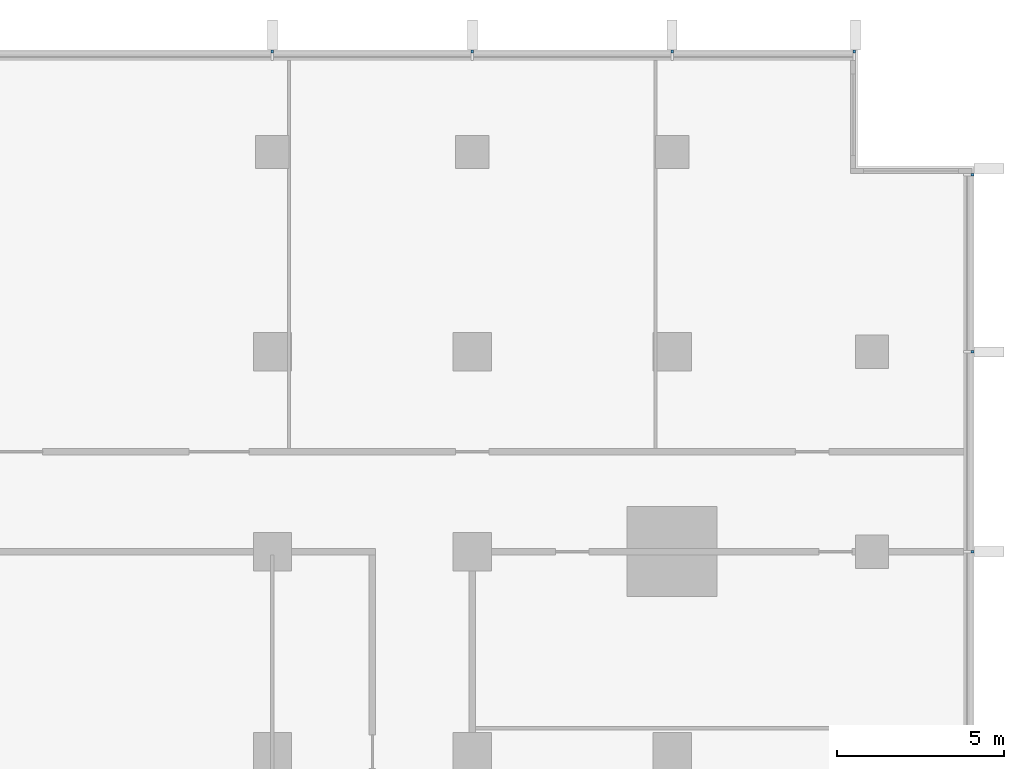
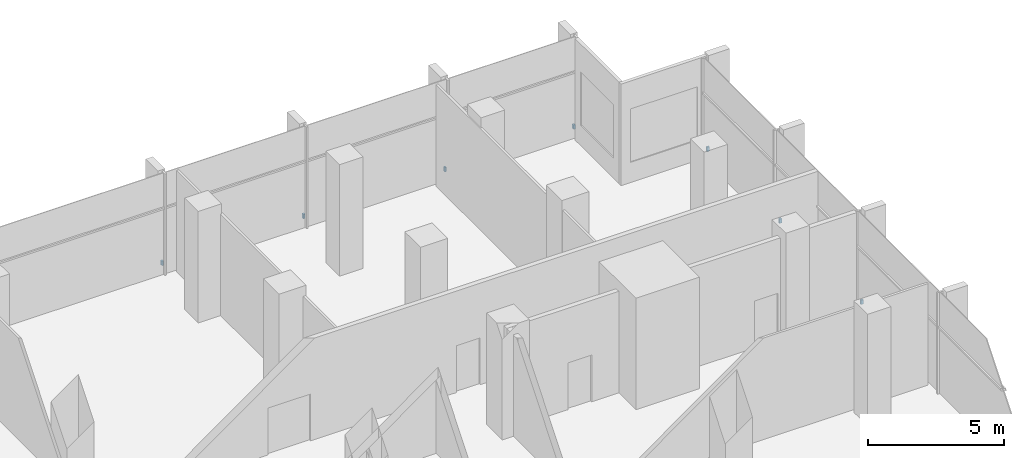
# One storey, part 14 of 15: 7 discrete accessories.
"""IFC4 building model written with IfcOpenShell, lengths in metres."""

from ifc_helpers import new_model, si_unit, direction, frame, origin, origin_2d, place, context, subcontext, project, spatial, rectangle, extrude, material, type_object, element, save


model = new_model("IFC4")

# Units and contexts
model_context = context("Model", 3, precision=1e-05, world=origin(), true_north=direction((0.0, 1.0)))
body_context = subcontext(model_context, "Body", "Model", "MODEL_VIEW")
ifc_project = project(units=[si_unit("LENGTHUNIT", "METRE"), si_unit("AREAUNIT", "SQUARE_METRE"), si_unit("VOLUMEUNIT", "CUBIC_METRE"), si_unit("PLANEANGLEUNIT", "RADIAN"), si_unit("MASSUNIT", "GRAM", prefix="KILO")], contexts=[model_context])

# Site, building, storey
site_placement = place(None, origin())
site = spatial("IfcSite", under=ifc_project, at=site_placement, CompositionType="ELEMENT")
building_placement = place(site_placement, origin())
building = spatial("IfcBuilding", under=site, at=building_placement, Name="Finial Court Residences", CompositionType="ELEMENT")
storey_placement = place(building_placement, frame((0.0, 0.0, 138.89990234375)))
storey = spatial("IfcBuildingStorey", under=building, at=storey_placement, Name="L34", CompositionType="ELEMENT", Elevation=138.89990234375)

# Discrete accessories
ifc_material = material(Name="Stainless steel 316", Category="steel")
discrete_accessory_type = type_object("IfcDiscreteAccessoryType", Name="Fin bracket, stainless steel 75 x 98 x 200", PredefinedType="BRACKET", material=ifc_material)
for number, where, z_axis, x_axis, name in (
    (1, (4.5, 22.51123046875, 0.30029296875), (0.0, 0.0, 1.0), (1.0, 0.0, 0.0), "E-L34-FIN-N5-BRK"),
    (2, (10.5, 22.51123046875, 0.30029296875), (0.0, 0.0, 1.0), (1.0, 0.0, 0.0), "E-L34-FIN-N6-BRK"),
    (3, (16.5, 22.51123046875, 0.30029296875), (0.0, 0.0, 1.0), (1.0, 0.0, 0.0), "E-L34-FIN-N7-BRK"),
    (4, (21.96240234375, 22.51123046875, 0.30029296875), (0.0, 0.0, 1.0), (1.0, 0.0, 0.0), "E-L34-FIN-N8-BRK"),
):
    element("IfcDiscreteAccessory", number, at=place(storey_placement, frame(where, z_axis=z_axis, x_axis=x_axis)), inside=storey, type_object=discrete_accessory_type, Name=name, PredefinedType="BRACKET", context=body_context, shape_type="SweptSolid", body=[
        extrude(rectangle(XDim=0.074951171875, YDim=0.097412109375, at=origin_2d()), origin(), (0.0, 0.0, 1.0), 0.199951171875),
    ])
for number, where, z_axis, x_axis, name in (
    (5, (25.51123046875, 7.5, 0.30029296875), (0.0, 0.0, 1.0), (1.0, 0.0, 0.0), "E-L34-FIN-E13-BRK"),
    (6, (25.51123046875, 13.5, 0.30029296875), (0.0, 0.0, 1.0), (1.0, 0.0, 0.0), "E-L34-FIN-E14-BRK"),
    (7, (25.51123046875, 18.8125, 0.30029296875), (0.0, 0.0, 1.0), (1.0, 0.0, 0.0), "E-L34-FIN-E15-BRK"),
):
    element("IfcDiscreteAccessory", number, at=place(storey_placement, frame(where, z_axis=z_axis, x_axis=x_axis)), inside=storey, type_object=discrete_accessory_type, Name=name, PredefinedType="BRACKET", context=body_context, shape_type="SweptSolid", body=[
        extrude(rectangle(XDim=0.097412109375, YDim=0.074951171875, at=origin_2d()), origin(), (0.0, 0.0, 1.0), 0.199951171875),
    ])

save(model, "model.ifc")
